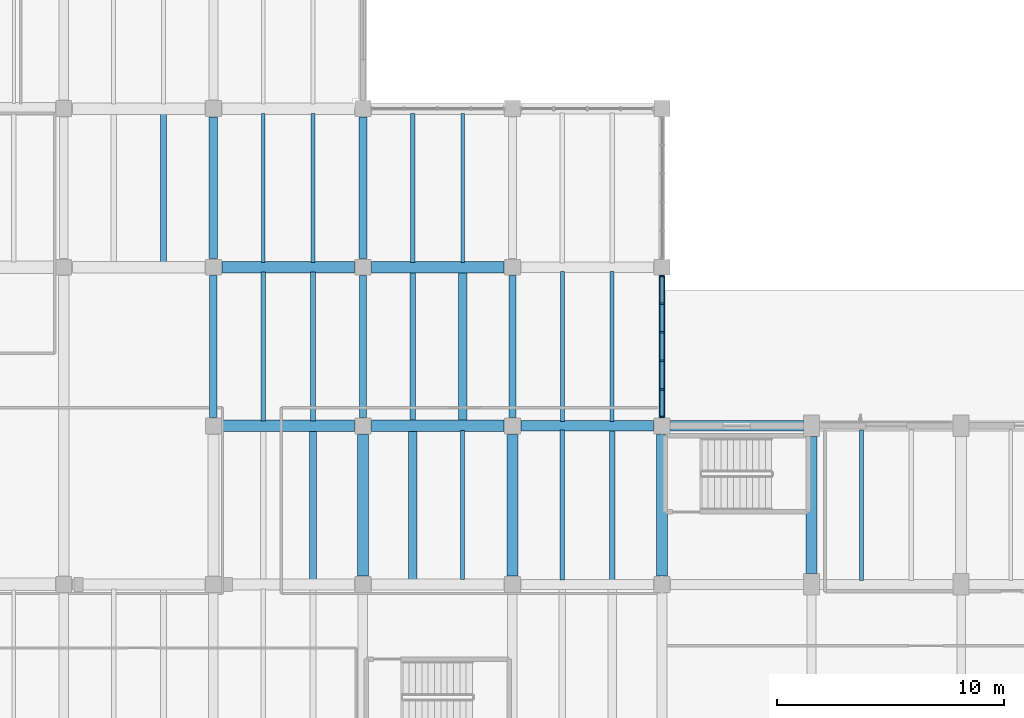
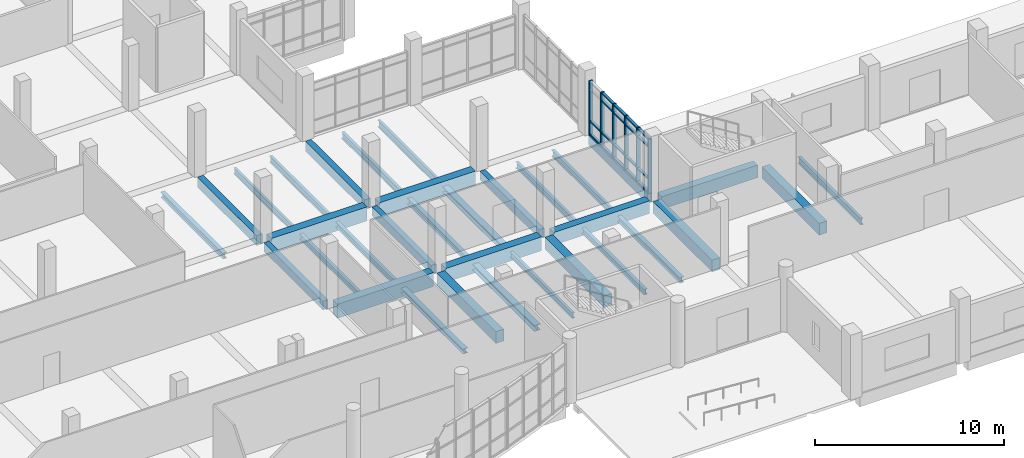
# One storey, part 14 of 69: 33 beams, 24 members, 1 element without a shape of its own.
"""IFC4 building model written with IfcOpenShell, lengths in metres."""

from ifc_helpers import new_model, si_unit, direction, frame, origin, origin_2d, place, context, subcontext, project, spatial, rectangle, i_section, extrude, material, material_profile, profile_set, type_object, element, aggregate, save


model = new_model("IFC4")

# Units and contexts
model_context = context("Model", 3, precision=1e-05, world=origin(), true_north=direction((0.0, 1.0)))
body_context = subcontext(model_context, "Body", "Model", "MODEL_VIEW")
ifc_project = project(units=[si_unit("LENGTHUNIT", "METRE"), si_unit("AREAUNIT", "SQUARE_METRE"), si_unit("VOLUMEUNIT", "CUBIC_METRE"), si_unit("PLANEANGLEUNIT", "RADIAN"), si_unit("MASSUNIT", "GRAM", prefix="KILO")], contexts=[model_context])

# Site, building, storey
site_placement = place(None, origin())
site = spatial("IfcSite", under=ifc_project, at=site_placement, CompositionType="ELEMENT")
building_placement = place(site_placement, origin())
building = spatial("IfcBuilding", under=site, at=building_placement, Name="Ciguamira Faculty of Natural Sciences", CompositionType="ELEMENT")
storey_placement = place(building_placement, origin())
storey = spatial("IfcBuildingStorey", under=building, at=storey_placement, Name="L00", CompositionType="ELEMENT", Elevation=0.0)

# Curtain wall, members
ifc_material_1 = material(Name="Anodized aluminium curtain wall", Category="aluminium")
curtain_wall_type = type_object("IfcCurtainWallType", Name="CurtainWall_CW-12", PredefinedType="USERDEFINED", material=ifc_material_1)
curtain_wall_placement = place(storey_placement, origin())
curtain_wall = element("IfcCurtainWall", 1, at=curtain_wall_placement, inside=storey, type_object=curtain_wall_type, Name="L00 unitised curtain wall 0024", ObjectType="UNITISED CURTAIN WALL", PredefinedType="USERDEFINED")
ifc_material_2 = material(Name="Anodized aluminium mullion", Category="aluminium")
ifc_material_profile_1 = material_profile(ifc_material_2, rectangle(XDim=0.080078125, YDim=0.219970703125, at=origin_2d()), Name="ALU-MUL-80X220")
ifc_profile_set_1 = profile_set([ifc_material_profile_1], Name="Anodized aluminium mullion")
member_type_1 = type_object("IfcMemberType", Name="CWMullion_CWM-03", PredefinedType="MULLION", material=ifc_profile_set_1)
member_1_placement = place(storey_placement, frame((123.300048828125, 24.389892578125, 0.0), z_axis=(0.0, 0.0, 1.0), x_axis=(0.0, 1.0, 0.0)))
member_1 = element("IfcMember", 2, at=member_1_placement, type_object=member_type_1, Name="CW-12 mullion 1", PredefinedType="MULLION", context=body_context, shape_type="SweptSolid", body=[
    extrude(rectangle(XDim=0.080078125, YDim=0.219970703125, at=origin_2d()), origin(), (0.0, 0.0, 1.0), 3.5048828125),
])
member_2_placement = place(storey_placement, frame((123.300048828125, 25.610107421875, 0.0), z_axis=(0.0, 0.0, 1.0), x_axis=(0.0, 1.0, 0.0)))
member_2 = element("IfcMember", 3, at=member_2_placement, type_object=member_type_1, Name="CW-12 mullion 2", PredefinedType="MULLION", context=body_context, shape_type="SweptSolid", body=[
    extrude(rectangle(XDim=0.080078125, YDim=0.219970703125, at=origin_2d()), origin(), (0.0, 0.0, 1.0), 3.5048828125),
])
member_3_placement = place(storey_placement, frame((123.300048828125, 26.8701171875, 0.0), z_axis=(0.0, 0.0, 1.0), x_axis=(0.0, 1.0, 0.0)))
member_3 = element("IfcMember", 4, at=member_3_placement, type_object=member_type_1, Name="CW-12 mullion 3", PredefinedType="MULLION", context=body_context, shape_type="SweptSolid", body=[
    extrude(rectangle(XDim=0.080078125, YDim=0.219970703125, at=origin_2d()), origin(), (0.0, 0.0, 1.0), 3.5048828125),
])
member_4_placement = place(storey_placement, frame((123.300048828125, 28.1298828125, 0.0), z_axis=(0.0, 0.0, 1.0), x_axis=(0.0, 1.0, 0.0)))
member_4 = element("IfcMember", 5, at=member_4_placement, type_object=member_type_1, Name="CW-12 mullion 4", PredefinedType="MULLION", context=body_context, shape_type="SweptSolid", body=[
    extrude(rectangle(XDim=0.080078125, YDim=0.219970703125, at=origin_2d()), origin(), (0.0, 0.0, 1.0), 3.5048828125),
])
member_5_placement = place(storey_placement, frame((123.300048828125, 29.389892578125, 0.0), z_axis=(0.0, 0.0, 1.0), x_axis=(0.0, 1.0, 0.0)))
member_5 = element("IfcMember", 6, at=member_5_placement, type_object=member_type_1, Name="CW-12 mullion 5", PredefinedType="MULLION", context=body_context, shape_type="SweptSolid", body=[
    extrude(rectangle(XDim=0.080078125, YDim=0.219970703125, at=origin_2d()), origin(), (0.0, 0.0, 1.0), 3.5048828125),
])
member_6_placement = place(storey_placement, frame((123.300048828125, 30.610107421875, 0.0), z_axis=(0.0, 0.0, 1.0), x_axis=(0.0, 1.0, 0.0)))
member_6 = element("IfcMember", 7, at=member_6_placement, type_object=member_type_1, Name="CW-12 mullion 6", PredefinedType="MULLION", context=body_context, shape_type="SweptSolid", body=[
    extrude(rectangle(XDim=0.080078125, YDim=0.219970703125, at=origin_2d()), origin(), (0.0, 0.0, 1.0), 3.5048828125),
])
ifc_material_3 = material(Name="Anodized aluminium transom", Category="aluminium")
ifc_material_profile_2 = material_profile(ifc_material_3, rectangle(XDim=0.080078125, YDim=0.159912109375, at=origin_2d()), Name="ALU-TRN-80X160")
ifc_profile_set_2 = profile_set([ifc_material_profile_2], Name="Anodized aluminium transom")
member_type_2 = type_object("IfcMemberType", Name="CWTransom_CWT-03", PredefinedType="USERDEFINED", material=ifc_profile_set_2)
member_7_placement = place(storey_placement, frame((123.300048828125, 24.429931640625, 0.0400390625), z_axis=(0.0, 1.0, 0.0), x_axis=(0.0, 0.0, 1.0)))
member_7 = element("IfcMember", 8, at=member_7_placement, type_object=member_type_2, Name="CW-12 transom 1.1", ObjectType="TRANSOM", PredefinedType="USERDEFINED", context=body_context, shape_type="SweptSolid", body=[
    extrude(rectangle(XDim=0.080078125, YDim=0.159912109375, at=origin_2d()), origin(), (0.0, 0.0, 1.0), 1.14013671875),
])
member_8_placement = place(storey_placement, frame((123.300048828125, 24.429931640625, 0.89990234375), z_axis=(0.0, 1.0, 0.0), x_axis=(0.0, 0.0, 1.0)))
member_8 = element("IfcMember", 9, at=member_8_placement, type_object=member_type_2, Name="CW-12 transom 1.2", ObjectType="TRANSOM", PredefinedType="USERDEFINED", context=body_context, shape_type="SweptSolid", body=[
    extrude(rectangle(XDim=0.080078125, YDim=0.159912109375, at=origin_2d()), origin(), (0.0, 0.0, 1.0), 1.14013671875),
])
member_9_placement = place(storey_placement, frame((123.300048828125, 24.429931640625, 2.955078125), z_axis=(0.0, 1.0, 0.0), x_axis=(0.0, 0.0, 1.0)))
member_9 = element("IfcMember", 10, at=member_9_placement, type_object=member_type_2, Name="CW-12 transom 1.3", ObjectType="TRANSOM", PredefinedType="USERDEFINED", context=body_context, shape_type="SweptSolid", body=[
    extrude(rectangle(XDim=0.080078125, YDim=0.159912109375, at=origin_2d()), origin(), (0.0, 0.0, 1.0), 1.14013671875),
])
member_10_placement = place(storey_placement, frame((123.300048828125, 24.429931640625, 3.465087890625), z_axis=(0.0, 1.0, 0.0), x_axis=(0.0, 0.0, 1.0)))
member_10 = element("IfcMember", 11, at=member_10_placement, type_object=member_type_2, Name="CW-12 transom 1.4", ObjectType="TRANSOM", PredefinedType="USERDEFINED", context=body_context, shape_type="SweptSolid", body=[
    extrude(rectangle(XDim=0.080078125, YDim=0.159912109375, at=origin_2d()), origin(), (0.0, 0.0, 1.0), 1.14013671875),
])
member_11_placement = place(storey_placement, frame((123.300048828125, 25.64990234375, 0.0400390625), z_axis=(0.0, 1.0, 0.0), x_axis=(0.0, 0.0, 1.0)))
member_11 = element("IfcMember", 12, at=member_11_placement, type_object=member_type_2, Name="CW-12 transom 2.1", ObjectType="TRANSOM", PredefinedType="USERDEFINED", context=body_context, shape_type="SweptSolid", body=[
    extrude(rectangle(XDim=0.080078125, YDim=0.159912109375, at=origin_2d()), origin(), (0.0, 0.0, 1.0), 1.18017578125),
])
member_12_placement = place(storey_placement, frame((123.300048828125, 25.64990234375, 0.89990234375), z_axis=(0.0, 1.0, 0.0), x_axis=(0.0, 0.0, 1.0)))
member_12 = element("IfcMember", 13, at=member_12_placement, type_object=member_type_2, Name="CW-12 transom 2.2", ObjectType="TRANSOM", PredefinedType="USERDEFINED", context=body_context, shape_type="SweptSolid", body=[
    extrude(rectangle(XDim=0.080078125, YDim=0.159912109375, at=origin_2d()), origin(), (0.0, 0.0, 1.0), 1.18017578125),
])
member_13_placement = place(storey_placement, frame((123.300048828125, 25.64990234375, 2.955078125), z_axis=(0.0, 1.0, 0.0), x_axis=(0.0, 0.0, 1.0)))
member_13 = element("IfcMember", 14, at=member_13_placement, type_object=member_type_2, Name="CW-12 transom 2.3", ObjectType="TRANSOM", PredefinedType="USERDEFINED", context=body_context, shape_type="SweptSolid", body=[
    extrude(rectangle(XDim=0.080078125, YDim=0.159912109375, at=origin_2d()), origin(), (0.0, 0.0, 1.0), 1.18017578125),
])
member_14_placement = place(storey_placement, frame((123.300048828125, 25.64990234375, 3.465087890625), z_axis=(0.0, 1.0, 0.0), x_axis=(0.0, 0.0, 1.0)))
member_14 = element("IfcMember", 15, at=member_14_placement, type_object=member_type_2, Name="CW-12 transom 2.4", ObjectType="TRANSOM", PredefinedType="USERDEFINED", context=body_context, shape_type="SweptSolid", body=[
    extrude(rectangle(XDim=0.080078125, YDim=0.159912109375, at=origin_2d()), origin(), (0.0, 0.0, 1.0), 1.18017578125),
])
member_15_placement = place(storey_placement, frame((123.300048828125, 26.909912109375, 0.0400390625), z_axis=(0.0, 1.0, 0.0), x_axis=(0.0, 0.0, 1.0)))
member_15 = element("IfcMember", 16, at=member_15_placement, type_object=member_type_2, Name="CW-12 transom 3.1", ObjectType="TRANSOM", PredefinedType="USERDEFINED", context=body_context, shape_type="SweptSolid", body=[
    extrude(rectangle(XDim=0.080078125, YDim=0.159912109375, at=origin_2d()), origin(), (0.0, 0.0, 1.0), 1.18017578125),
])
member_16_placement = place(storey_placement, frame((123.300048828125, 26.909912109375, 0.89990234375), z_axis=(0.0, 1.0, 0.0), x_axis=(0.0, 0.0, 1.0)))
member_16 = element("IfcMember", 17, at=member_16_placement, type_object=member_type_2, Name="CW-12 transom 3.2", ObjectType="TRANSOM", PredefinedType="USERDEFINED", context=body_context, shape_type="SweptSolid", body=[
    extrude(rectangle(XDim=0.080078125, YDim=0.159912109375, at=origin_2d()), origin(), (0.0, 0.0, 1.0), 1.18017578125),
])
member_17_placement = place(storey_placement, frame((123.300048828125, 26.909912109375, 2.955078125), z_axis=(0.0, 1.0, 0.0), x_axis=(0.0, 0.0, 1.0)))
member_17 = element("IfcMember", 18, at=member_17_placement, type_object=member_type_2, Name="CW-12 transom 3.3", ObjectType="TRANSOM", PredefinedType="USERDEFINED", context=body_context, shape_type="SweptSolid", body=[
    extrude(rectangle(XDim=0.080078125, YDim=0.159912109375, at=origin_2d()), origin(), (0.0, 0.0, 1.0), 1.18017578125),
])
member_18_placement = place(storey_placement, frame((123.300048828125, 26.909912109375, 3.465087890625), z_axis=(0.0, 1.0, 0.0), x_axis=(0.0, 0.0, 1.0)))
member_18 = element("IfcMember", 19, at=member_18_placement, type_object=member_type_2, Name="CW-12 transom 3.4", ObjectType="TRANSOM", PredefinedType="USERDEFINED", context=body_context, shape_type="SweptSolid", body=[
    extrude(rectangle(XDim=0.080078125, YDim=0.159912109375, at=origin_2d()), origin(), (0.0, 0.0, 1.0), 1.18017578125),
])
member_19_placement = place(storey_placement, frame((123.300048828125, 28.169921875, 0.0400390625), z_axis=(0.0, 1.0, 0.0), x_axis=(0.0, 0.0, 1.0)))
member_19 = element("IfcMember", 20, at=member_19_placement, type_object=member_type_2, Name="CW-12 transom 4.1", ObjectType="TRANSOM", PredefinedType="USERDEFINED", context=body_context, shape_type="SweptSolid", body=[
    extrude(rectangle(XDim=0.080078125, YDim=0.159912109375, at=origin_2d()), origin(), (0.0, 0.0, 1.0), 1.18017578125),
])
member_20_placement = place(storey_placement, frame((123.300048828125, 28.169921875, 0.89990234375), z_axis=(0.0, 1.0, 0.0), x_axis=(0.0, 0.0, 1.0)))
member_20 = element("IfcMember", 21, at=member_20_placement, type_object=member_type_2, Name="CW-12 transom 4.2", ObjectType="TRANSOM", PredefinedType="USERDEFINED", context=body_context, shape_type="SweptSolid", body=[
    extrude(rectangle(XDim=0.080078125, YDim=0.159912109375, at=origin_2d()), origin(), (0.0, 0.0, 1.0), 1.18017578125),
])
member_21_placement = place(storey_placement, frame((123.300048828125, 28.169921875, 2.955078125), z_axis=(0.0, 1.0, 0.0), x_axis=(0.0, 0.0, 1.0)))
member_21 = element("IfcMember", 22, at=member_21_placement, type_object=member_type_2, Name="CW-12 transom 4.3", ObjectType="TRANSOM", PredefinedType="USERDEFINED", context=body_context, shape_type="SweptSolid", body=[
    extrude(rectangle(XDim=0.080078125, YDim=0.159912109375, at=origin_2d()), origin(), (0.0, 0.0, 1.0), 1.18017578125),
])
member_22_placement = place(storey_placement, frame((123.300048828125, 28.169921875, 3.465087890625), z_axis=(0.0, 1.0, 0.0), x_axis=(0.0, 0.0, 1.0)))
member_22 = element("IfcMember", 23, at=member_22_placement, type_object=member_type_2, Name="CW-12 transom 4.4", ObjectType="TRANSOM", PredefinedType="USERDEFINED", context=body_context, shape_type="SweptSolid", body=[
    extrude(rectangle(XDim=0.080078125, YDim=0.159912109375, at=origin_2d()), origin(), (0.0, 0.0, 1.0), 1.18017578125),
])
member_23_placement = place(storey_placement, frame((123.300048828125, 29.429931640625, 0.0400390625), z_axis=(0.0, 1.0, 0.0), x_axis=(0.0, 0.0, 1.0)))
member_23 = element("IfcMember", 24, at=member_23_placement, type_object=member_type_2, Name="CW-12 transom 5.1", ObjectType="TRANSOM", PredefinedType="USERDEFINED", context=body_context, shape_type="SweptSolid", body=[
    extrude(rectangle(XDim=0.080078125, YDim=0.159912109375, at=origin_2d()), origin(), (0.0, 0.0, 1.0), 1.14013671875),
])
member_24_placement = place(storey_placement, frame((123.300048828125, 29.429931640625, 0.89990234375), z_axis=(0.0, 1.0, 0.0), x_axis=(0.0, 0.0, 1.0)))
member_24 = element("IfcMember", 25, at=member_24_placement, type_object=member_type_2, Name="CW-12 transom 5.2", ObjectType="TRANSOM", PredefinedType="USERDEFINED", context=body_context, shape_type="SweptSolid", body=[
    extrude(rectangle(XDim=0.080078125, YDim=0.159912109375, at=origin_2d()), origin(), (0.0, 0.0, 1.0), 1.14013671875),
])
aggregate(curtain_wall, [member_1, member_2, member_3, member_4, member_5, member_6, member_7, member_8, member_9, member_10, member_11, member_12, member_13, member_14, member_15, member_16, member_17, member_18, member_19, member_20, member_21, member_22, member_23, member_24])

# Beams
ifc_material_4 = material(Name="Concrete C40/50", Category="concrete")
ifc_material_profile_3 = material_profile(ifc_material_4, rectangle(XDim=0.5, YDim=0.89990234375, at=origin_2d()), Name="RC-BM-500X900")
ifc_profile_set_3 = profile_set([ifc_material_profile_3], Name="Concrete C40/50")
beam_type_1 = type_object("IfcBeamType", Name="RCBeam_BG-03_RC-BM-500X900", PredefinedType="BEAM", material=ifc_profile_set_3)
beam_1_placement = place(storey_placement, frame((103.875, 24.0, -0.449951171875), z_axis=(1.0, 0.0, 0.0), x_axis=(0.0, 1.0, 0.0)))
element("IfcBeam", 26, at=beam_1_placement, inside=storey, type_object=beam_type_1, Name="L00 RC girder EW-0068", PredefinedType="BEAM", context=body_context, shape_type="SweptSolid", body=[
    extrude(rectangle(XDim=0.5, YDim=0.89990234375, at=origin_2d()), origin(), (0.0, 0.0, 1.0), 5.85009765625),
])
beam_2_placement = place(storey_placement, frame((110.47509765625, 24.0, -0.449951171875), z_axis=(1.0, 0.0, 0.0), x_axis=(0.0, 1.0, 0.0)))
element("IfcBeam", 27, at=beam_2_placement, inside=storey, type_object=beam_type_1, Name="L00 RC girder EW-0069", PredefinedType="BEAM", context=body_context, shape_type="SweptSolid", body=[
    extrude(rectangle(XDim=0.5, YDim=0.89990234375, at=origin_2d()), origin(), (0.0, 0.0, 1.0), 5.849853515625),
])
beam_3_placement = place(storey_placement, frame((103.875, 31.0, -0.449951171875), z_axis=(1.0, 0.0, 0.0), x_axis=(0.0, 1.0, 0.0)))
element("IfcBeam", 28, at=beam_3_placement, inside=storey, type_object=beam_type_1, Name="L00 RC girder EW-0086", PredefinedType="BEAM", context=body_context, shape_type="SweptSolid", body=[
    extrude(rectangle(XDim=0.5, YDim=0.89990234375, at=origin_2d()), origin(), (0.0, 0.0, 1.0), 5.85009765625),
])
beam_4_placement = place(storey_placement, frame((110.47509765625, 31.0, -0.449951171875), z_axis=(1.0, 0.0, 0.0), x_axis=(0.0, 1.0, 0.0)))
element("IfcBeam", 29, at=beam_4_placement, inside=storey, type_object=beam_type_1, Name="L00 RC girder EW-0087", PredefinedType="BEAM", context=body_context, shape_type="SweptSolid", body=[
    extrude(rectangle(XDim=0.5, YDim=0.89990234375, at=origin_2d()), origin(), (0.0, 0.0, 1.0), 5.849853515625),
])
ifc_material_profile_4 = material_profile(ifc_material_4, rectangle(XDim=0.4599609375, YDim=0.820068359375, at=origin_2d()), Name="RC-BM-460X820")
ifc_profile_set_4 = profile_set([ifc_material_profile_4], Name="Concrete C40/50")
beam_type_2 = type_object("IfcBeamType", Name="RCBeam_BG-04_RC-BM-460X820", PredefinedType="BEAM", material=ifc_profile_set_4)
beam_5_placement = place(storey_placement, frame((117.074951171875, 24.0, -0.409912109375), z_axis=(1.0, 0.0, 0.0), x_axis=(0.0, 1.0, 0.0)))
element("IfcBeam", 30, at=beam_5_placement, inside=storey, type_object=beam_type_2, Name="L00 RC girder EW-0070", PredefinedType="BEAM", context=body_context, shape_type="SweptSolid", body=[
    extrude(rectangle(XDim=0.4599609375, YDim=0.820068359375, at=origin_2d()), origin(), (0.0, 0.0, 1.0), 5.85009765625),
])
beam_6_placement = place(storey_placement, frame((123.675048828125, 24.0, -0.409912109375), z_axis=(1.0, 0.0, 0.0), x_axis=(0.0, 1.0, 0.0)))
element("IfcBeam", 31, at=beam_6_placement, inside=storey, type_object=beam_type_2, Name="L00 RC girder EW-0071", PredefinedType="BEAM", context=body_context, shape_type="SweptSolid", body=[
    extrude(rectangle(XDim=0.4599609375, YDim=0.820068359375, at=origin_2d()), origin(), (0.0, 0.0, 1.0), 5.875),
])
ifc_material_profile_5 = material_profile(ifc_material_4, rectangle(XDim=0.360107421875, YDim=0.639892578125, at=origin_2d()), Name="RC-BM-360X640")
ifc_profile_set_5 = profile_set([ifc_material_profile_5], Name="Concrete C40/50")
beam_type_3 = type_object("IfcBeamType", Name="RCBeam_BG-10_RC-BM-360X640", PredefinedType="BEAM", material=ifc_profile_set_5)
for number, where, z_axis, x_axis, name in (
    (32, (103.5, 31.375, -0.320068359375), (0.0, 1.0, 0.0), (-1.0, 0.0, 0.0), "L00 girder NS-0303"),
    (33, (110.10009765625, 31.375, -0.320068359375), (0.0, 1.0, 0.0), (-1.0, 0.0, 0.0), "L00 girder NS-0314"),
):
    element("IfcBeam", number, at=place(storey_placement, frame(where, z_axis=z_axis, x_axis=x_axis)), inside=storey, type_object=beam_type_3, Name=name, PredefinedType="BEAM", context=body_context, shape_type="SweptSolid", body=[
        extrude(rectangle(XDim=0.360107421875, YDim=0.639892578125, at=origin_2d()), origin(), (0.0, 0.0, 1.0), 6.25),
    ])
ifc_material_profile_6 = material_profile(ifc_material_4, rectangle(XDim=0.320068359375, YDim=0.56005859375, at=origin_2d()), Name="RC-BM-320X560")
ifc_profile_set_6 = profile_set([ifc_material_profile_6], Name="Concrete C40/50")
beam_type_4 = type_object("IfcBeamType", Name="RCBeam_BG-12_RC-BM-320X560", PredefinedType="BEAM", material=ifc_profile_set_6)
for number, where, z_axis, x_axis, name in (
    (34, (103.5, 24.375, -0.280029296875), (0.0, 1.0, 0.0), (-1.0, 0.0, 0.0), "L00 girder NS-0302"),
    (35, (110.10009765625, 24.375, -0.280029296875), (0.0, 1.0, 0.0), (-1.0, 0.0, 0.0), "L00 girder NS-0313"),
    (36, (116.699951171875, 24.375, -0.280029296875), (0.0, 1.0, 0.0), (-1.0, 0.0, 0.0), "L00 girder NS-0327"),
):
    element("IfcBeam", number, at=place(storey_placement, frame(where, z_axis=z_axis, x_axis=x_axis)), inside=storey, type_object=beam_type_4, Name=name, PredefinedType="BEAM", context=body_context, shape_type="SweptSolid", body=[
        extrude(rectangle(XDim=0.320068359375, YDim=0.56005859375, at=origin_2d()), origin(), (0.0, 0.0, 1.0), 6.25),
    ])
ifc_material_5 = material(Name="Precast concrete C40/50", Category="concrete")
ifc_material_profile_7 = material_profile(ifc_material_5, rectangle(XDim=0.280029296875, YDim=0.6201171875, at=origin_2d()), Name="RC-SP-280X620")
ifc_profile_set_7 = profile_set([ifc_material_profile_7], Name="Precast concrete C40/50")
beam_type_5 = type_object("IfcBeamType", Name="RCBeam_SP-01_RC-SP-280X620", PredefinedType="SPANDREL", material=ifc_profile_set_7)
beam_7_placement = place(storey_placement, frame((123.300048828125, 24.375, -0.31005859375), z_axis=(0.0, 1.0, 0.0), x_axis=(-1.0, 0.0, 0.0)))
element("IfcBeam", 37, at=beam_7_placement, inside=storey, type_object=beam_type_5, Name="L00 girder NS-0341", PredefinedType="SPANDREL", context=body_context, shape_type="SweptSolid", body=[
    extrude(rectangle(XDim=0.280029296875, YDim=0.6201171875, at=origin_2d()), origin(), (0.0, 0.0, 1.0), 6.25),
])
ifc_material_profile_8 = material_profile(ifc_material_4, rectangle(XDim=0.47998046875, YDim=0.760009765625, at=origin_2d()), Name="RC-TB-480X760")
ifc_profile_set_8 = profile_set([ifc_material_profile_8], Name="Concrete C40/50")
beam_type_6 = type_object("IfcBeamType", Name="RCBeam_TB-01_RC-TB-480X760", PredefinedType="T_BEAM", material=ifc_profile_set_8)
for number, where, z_axis, x_axis, name in (
    (38, (110.10009765625, 17.375, -0.3798828125), (0.0, 1.0, 0.0), (-1.0, 0.0, 0.0), "L00 girder NS-0312"),
    (39, (116.699951171875, 17.375, -0.3798828125), (0.0, 1.0, 0.0), (-1.0, 0.0, 0.0), "L00 girder NS-0326"),
    (40, (123.300048828125, 17.375, -0.3798828125), (0.0, 1.0, 0.0), (-1.0, 0.0, 0.0), "L00 girder NS-0340"),
):
    element("IfcBeam", number, at=place(storey_placement, frame(where, z_axis=z_axis, x_axis=x_axis)), inside=storey, type_object=beam_type_6, Name=name, PredefinedType="T_BEAM", context=body_context, shape_type="SweptSolid", body=[
        extrude(rectangle(XDim=0.47998046875, YDim=0.760009765625, at=origin_2d()), origin(), (0.0, 0.0, 1.0), 6.25),
    ])
beam_8_placement = place(storey_placement, frame((129.89990234375, 17.47509765625, -0.3798828125), z_axis=(0.0, 1.0, 0.0), x_axis=(-1.0, 0.0, 0.0)))
element("IfcBeam", 41, at=beam_8_placement, inside=storey, type_object=beam_type_6, Name="L00 girder NS-0344", PredefinedType="T_BEAM", context=body_context, shape_type="SweptSolid", body=[
    extrude(rectangle(XDim=0.47998046875, YDim=0.760009765625, at=origin_2d()), origin(), (0.0, 0.0, 1.0), 6.0498046875),
])
ifc_material_6 = material(Name="Steel ASTM A992 Grade 50", Category="steel")
ifc_material_profile_9 = material_profile(ifc_material_6, i_section(OverallWidth=0.3046875, OverallDepth=0.307373046875, WebThickness=0.010009765625, FlangeThickness=0.015380859375, at=origin_2d()), Name="W12X65")
ifc_profile_set_9 = profile_set([ifc_material_profile_9], Name="Steel ASTM A992 Grade 50")
beam_type_7 = type_object("IfcBeamType", Name="SteelJoist_SJ-08_W12X65", PredefinedType="JOIST", material=ifc_profile_set_9)
beam_9_placement = place(storey_placement, frame((107.89990234375, 17.2099609375, -0.45361328125), z_axis=(0.0, 1.0, 0.0), x_axis=(-1.0, 0.0, 0.0)))
element("IfcBeam", 42, at=beam_9_placement, inside=storey, type_object=beam_type_7, Name="L00 composite steel joist 00251", PredefinedType="JOIST", context=body_context, shape_type="SweptSolid", body=[
    extrude(i_section(OverallWidth=0.3046875, OverallDepth=0.307373046875, WebThickness=0.010009765625, FlangeThickness=0.015380859375, at=origin_2d()), origin(), (0.0, 0.0, 1.0), 6.580078125),
])
ifc_material_profile_10 = material_profile(ifc_material_6, i_section(OverallWidth=0.373291015625, OverallDepth=0.373291015625, WebThickness=0.016357421875, FlangeThickness=0.026123046875, at=origin_2d()), Name="W14X132")
ifc_profile_set_10 = profile_set([ifc_material_profile_10], Name="Steel ASTM A992 Grade 50")
beam_type_8 = type_object("IfcBeamType", Name="SteelJoist_SJ-10_W14X132", PredefinedType="JOIST", material=ifc_profile_set_10)
beam_10_placement = place(storey_placement, frame((112.300048828125, 17.2099609375, -0.48681640625), z_axis=(0.0, 1.0, 0.0), x_axis=(-1.0, 0.0, 0.0)))
element("IfcBeam", 43, at=beam_10_placement, inside=storey, type_object=beam_type_8, Name="L00 composite steel joist 00275", PredefinedType="JOIST", context=body_context, shape_type="SweptSolid", body=[
    extrude(i_section(OverallWidth=0.373291015625, OverallDepth=0.373291015625, WebThickness=0.016357421875, FlangeThickness=0.026123046875, at=origin_2d()), origin(), (0.0, 0.0, 1.0), 6.580078125),
])
ifc_material_profile_11 = material_profile(ifc_material_6, i_section(OverallWidth=0.1708984375, OverallDepth=0.3505859375, WebThickness=0.0068359375, FlangeThickness=0.009765625, at=origin_2d()), Name="W14X30")
ifc_profile_set_11 = profile_set([ifc_material_profile_11], Name="Steel ASTM A992 Grade 50")
beam_type_9 = type_object("IfcBeamType", Name="SteelJoist_SJ-11_W14X30", PredefinedType="JOIST", material=ifc_profile_set_11)
beam_11_placement = place(storey_placement, frame((114.5, 17.2099609375, -0.475341796875), z_axis=(0.0, 1.0, 0.0), x_axis=(-1.0, 0.0, 0.0)))
element("IfcBeam", 44, at=beam_11_placement, inside=storey, type_object=beam_type_9, Name="L00 composite steel joist 00276", PredefinedType="JOIST", context=body_context, shape_type="SweptSolid", body=[
    extrude(i_section(OverallWidth=0.1708984375, OverallDepth=0.3505859375, WebThickness=0.0068359375, FlangeThickness=0.009765625, at=origin_2d()), origin(), (0.0, 0.0, 1.0), 6.580078125),
])
ifc_material_profile_12 = material_profile(ifc_material_6, i_section(OverallWidth=0.203125, OverallDepth=0.347900390625, WebThickness=0.0078125, FlangeThickness=0.013427734375, at=origin_2d()), Name="W14X43")
ifc_profile_set_12 = profile_set([ifc_material_profile_12], Name="Steel ASTM A992 Grade 50")
beam_type_10 = type_object("IfcBeamType", Name="SteelJoist_SJ-12_W14X43", PredefinedType="JOIST", material=ifc_profile_set_12)
beam_12_placement = place(storey_placement, frame((105.699951171875, 24.2099609375, -0.47412109375), z_axis=(0.0, 1.0, 0.0), x_axis=(-1.0, 0.0, 0.0)))
element("IfcBeam", 45, at=beam_12_placement, inside=storey, type_object=beam_type_10, Name="L00 composite steel joist 00252", PredefinedType="JOIST", context=body_context, shape_type="SweptSolid", body=[
    extrude(i_section(OverallWidth=0.203125, OverallDepth=0.347900390625, WebThickness=0.0078125, FlangeThickness=0.013427734375, at=origin_2d()), origin(), (0.0, 0.0, 1.0), 6.580078125),
])
ifc_material_profile_13 = material_profile(ifc_material_6, i_section(OverallWidth=0.204833984375, OverallDepth=0.35302734375, WebThickness=0.00927734375, FlangeThickness=0.016845703125, at=origin_2d()), Name="W14X53")
ifc_profile_set_13 = profile_set([ifc_material_profile_13], Name="Steel ASTM A992 Grade 50")
beam_type_11 = type_object("IfcBeamType", Name="SteelJoist_SJ-13_W14X53", PredefinedType="JOIST", material=ifc_profile_set_13)
beam_13_placement = place(storey_placement, frame((107.89990234375, 24.2099609375, -0.4765625), z_axis=(0.0, 1.0, 0.0), x_axis=(-1.0, 0.0, 0.0)))
element("IfcBeam", 46, at=beam_13_placement, inside=storey, type_object=beam_type_11, Name="L00 composite steel joist 00253", PredefinedType="JOIST", context=body_context, shape_type="SweptSolid", body=[
    extrude(i_section(OverallWidth=0.204833984375, OverallDepth=0.35302734375, WebThickness=0.00927734375, FlangeThickness=0.016845703125, at=origin_2d()), origin(), (0.0, 0.0, 1.0), 6.580078125),
])
beam_14_placement = place(storey_placement, frame((118.89990234375, 17.18994140625, -0.4765625), z_axis=(0.0, 1.0, 0.0), x_axis=(-1.0, 0.0, 0.0)))
element("IfcBeam", 47, at=beam_14_placement, inside=storey, type_object=beam_type_11, Name="L00 composite steel joist 00307", PredefinedType="JOIST", context=body_context, shape_type="SweptSolid", body=[
    extrude(i_section(OverallWidth=0.204833984375, OverallDepth=0.35302734375, WebThickness=0.00927734375, FlangeThickness=0.016845703125, at=origin_2d()), origin(), (0.0, 0.0, 1.0), 6.6201171875),
])
ifc_material_profile_14 = material_profile(ifc_material_6, i_section(OverallWidth=0.25390625, OverallDepth=0.355712890625, WebThickness=0.010498046875, FlangeThickness=0.018310546875, at=origin_2d()), Name="W14X68")
ifc_profile_set_14 = profile_set([ifc_material_profile_14], Name="Steel ASTM A992 Grade 50")
beam_type_12 = type_object("IfcBeamType", Name="SteelJoist_SJ-14_W14X68", PredefinedType="JOIST", material=ifc_profile_set_14)
beam_15_placement = place(storey_placement, frame((121.10009765625, 17.18994140625, -0.477783203125), z_axis=(0.0, 1.0, 0.0), x_axis=(-1.0, 0.0, 0.0)))
element("IfcBeam", 48, at=beam_15_placement, inside=storey, type_object=beam_type_12, Name="L00 composite steel joist 00308", PredefinedType="JOIST", context=body_context, shape_type="SweptSolid", body=[
    extrude(i_section(OverallWidth=0.25390625, OverallDepth=0.355712890625, WebThickness=0.010498046875, FlangeThickness=0.018310546875, at=origin_2d()), origin(), (0.0, 0.0, 1.0), 6.6201171875),
])
ifc_material_profile_15 = material_profile(ifc_material_6, i_section(OverallWidth=0.256591796875, OverallDepth=0.36328125, WebThickness=0.012939453125, FlangeThickness=0.021728515625, at=origin_2d()), Name="W14X82")
ifc_profile_set_15 = profile_set([ifc_material_profile_15], Name="Steel ASTM A992 Grade 50")
beam_type_13 = type_object("IfcBeamType", Name="SteelJoist_SJ-15_W14X82", PredefinedType="JOIST", material=ifc_profile_set_15)
for number, where, z_axis, x_axis, name in (
    (49, (101.300048828125, 31.2099609375, -0.481689453125), (0.0, 1.0, 0.0), (-1.0, 0.0, 0.0), "L00 composite steel joist 00226"),
    (50, (112.300048828125, 24.2099609375, -0.481689453125), (0.0, 1.0, 0.0), (-1.0, 0.0, 0.0), "L00 composite steel joist 00277"),
):
    element("IfcBeam", number, at=place(storey_placement, frame(where, z_axis=z_axis, x_axis=x_axis)), inside=storey, type_object=beam_type_13, Name=name, PredefinedType="JOIST", context=body_context, shape_type="SweptSolid", body=[
        extrude(i_section(OverallWidth=0.256591796875, OverallDepth=0.36328125, WebThickness=0.012939453125, FlangeThickness=0.021728515625, at=origin_2d()), origin(), (0.0, 0.0, 1.0), 6.580078125),
    ])
ifc_material_profile_16 = material_profile(ifc_material_6, i_section(OverallWidth=0.368408203125, OverallDepth=0.355712890625, WebThickness=0.01123046875, FlangeThickness=0.01806640625, at=origin_2d()), Name="W14X90")
ifc_profile_set_16 = profile_set([ifc_material_profile_16], Name="Steel ASTM A992 Grade 50")
beam_type_14 = type_object("IfcBeamType", Name="SteelJoist_SJ-16_W14X90", PredefinedType="JOIST", material=ifc_profile_set_16)
beam_16_placement = place(storey_placement, frame((114.5, 24.2099609375, -0.477783203125), z_axis=(0.0, 1.0, 0.0), x_axis=(-1.0, 0.0, 0.0)))
element("IfcBeam", 51, at=beam_16_placement, inside=storey, type_object=beam_type_14, Name="L00 composite steel joist 00278", PredefinedType="JOIST", context=body_context, shape_type="SweptSolid", body=[
    extrude(i_section(OverallWidth=0.368408203125, OverallDepth=0.355712890625, WebThickness=0.01123046875, FlangeThickness=0.01806640625, at=origin_2d()), origin(), (0.0, 0.0, 1.0), 6.580078125),
])
ifc_material_profile_17 = material_profile(ifc_material_6, i_section(OverallWidth=0.140380859375, OverallDepth=0.40380859375, WebThickness=0.007080078125, FlangeThickness=0.01123046875, at=origin_2d()), Name="W16X31")
ifc_profile_set_17 = profile_set([ifc_material_profile_17], Name="Steel ASTM A992 Grade 50")
beam_type_15 = type_object("IfcBeamType", Name="SteelJoist_SJ-17_W16X31", PredefinedType="JOIST", material=ifc_profile_set_17)
beam_17_placement = place(storey_placement, frame((105.699951171875, 31.2099609375, -0.501953125), z_axis=(0.0, 1.0, 0.0), x_axis=(-1.0, 0.0, 0.0)))
element("IfcBeam", 52, at=beam_17_placement, inside=storey, type_object=beam_type_15, Name="L00 composite steel joist 00254", PredefinedType="JOIST", context=body_context, shape_type="SweptSolid", body=[
    extrude(i_section(OverallWidth=0.140380859375, OverallDepth=0.40380859375, WebThickness=0.007080078125, FlangeThickness=0.01123046875, at=origin_2d()), origin(), (0.0, 0.0, 1.0), 6.580078125),
])
ifc_material_profile_18 = material_profile(ifc_material_6, i_section(OverallWidth=0.177490234375, OverallDepth=0.40380859375, WebThickness=0.007568359375, FlangeThickness=0.010986328125, at=origin_2d()), Name="W16X36")
ifc_profile_set_18 = profile_set([ifc_material_profile_18], Name="Steel ASTM A992 Grade 50")
beam_type_16 = type_object("IfcBeamType", Name="SteelJoist_SJ-18_W16X36", PredefinedType="JOIST", material=ifc_profile_set_18)
beam_18_placement = place(storey_placement, frame((107.89990234375, 31.2099609375, -0.501953125), z_axis=(0.0, 1.0, 0.0), x_axis=(-1.0, 0.0, 0.0)))
element("IfcBeam", 53, at=beam_18_placement, inside=storey, type_object=beam_type_16, Name="L00 composite steel joist 00255", PredefinedType="JOIST", context=body_context, shape_type="SweptSolid", body=[
    extrude(i_section(OverallWidth=0.177490234375, OverallDepth=0.40380859375, WebThickness=0.007568359375, FlangeThickness=0.010986328125, at=origin_2d()), origin(), (0.0, 0.0, 1.0), 6.580078125),
])
beam_19_placement = place(storey_placement, frame((118.89990234375, 24.18994140625, -0.501953125), z_axis=(0.0, 1.0, 0.0), x_axis=(-1.0, 0.0, 0.0)))
element("IfcBeam", 54, at=beam_19_placement, inside=storey, type_object=beam_type_16, Name="L00 composite steel joist 00309", PredefinedType="JOIST", context=body_context, shape_type="SweptSolid", body=[
    extrude(i_section(OverallWidth=0.177490234375, OverallDepth=0.40380859375, WebThickness=0.007568359375, FlangeThickness=0.010986328125, at=origin_2d()), origin(), (0.0, 0.0, 1.0), 6.6201171875),
])
ifc_material_profile_19 = material_profile(ifc_material_6, i_section(OverallWidth=0.1787109375, OverallDepth=0.408935546875, WebThickness=0.0087890625, FlangeThickness=0.014404296875, at=origin_2d()), Name="W16X45")
ifc_profile_set_19 = profile_set([ifc_material_profile_19], Name="Steel ASTM A992 Grade 50")
beam_type_17 = type_object("IfcBeamType", Name="SteelJoist_SJ-19_W16X45", PredefinedType="JOIST", material=ifc_profile_set_19)
beam_20_placement = place(storey_placement, frame((121.10009765625, 24.18994140625, -0.50439453125), z_axis=(0.0, 1.0, 0.0), x_axis=(-1.0, 0.0, 0.0)))
element("IfcBeam", 55, at=beam_20_placement, inside=storey, type_object=beam_type_17, Name="L00 composite steel joist 00310", PredefinedType="JOIST", context=body_context, shape_type="SweptSolid", body=[
    extrude(i_section(OverallWidth=0.1787109375, OverallDepth=0.408935546875, WebThickness=0.0087890625, FlangeThickness=0.014404296875, at=origin_2d()), origin(), (0.0, 0.0, 1.0), 6.6201171875),
])
beam_21_placement = place(storey_placement, frame((132.10009765625, 17.18505859375, -0.554443359375), z_axis=(0.0, 1.0, 0.0), x_axis=(-1.0, 0.0, 0.0)))
element("IfcBeam", 56, at=beam_21_placement, inside=storey, type_object=beam_type_17, Name="L00 composite steel joist 00313", PredefinedType="JOIST", context=body_context, shape_type="SweptSolid", body=[
    extrude(i_section(OverallWidth=0.1787109375, OverallDepth=0.408935546875, WebThickness=0.0087890625, FlangeThickness=0.014404296875, at=origin_2d()), origin(), (0.0, 0.0, 1.0), 6.6298828125),
])
ifc_material_profile_20 = material_profile(ifc_material_6, i_section(OverallWidth=0.180908203125, OverallDepth=0.41650390625, WebThickness=0.010986328125, FlangeThickness=0.01806640625, at=origin_2d()), Name="W16X57")
ifc_profile_set_20 = profile_set([ifc_material_profile_20], Name="Steel ASTM A992 Grade 50")
beam_type_18 = type_object("IfcBeamType", Name="SteelJoist_SJ-20_W16X57", PredefinedType="JOIST", material=ifc_profile_set_20)
beam_22_placement = place(storey_placement, frame((112.300048828125, 31.2099609375, -0.50830078125), z_axis=(0.0, 1.0, 0.0), x_axis=(-1.0, 0.0, 0.0)))
element("IfcBeam", 57, at=beam_22_placement, inside=storey, type_object=beam_type_18, Name="L00 composite steel joist 00279", PredefinedType="JOIST", context=body_context, shape_type="SweptSolid", body=[
    extrude(i_section(OverallWidth=0.180908203125, OverallDepth=0.41650390625, WebThickness=0.010986328125, FlangeThickness=0.01806640625, at=origin_2d()), origin(), (0.0, 0.0, 1.0), 6.580078125),
])
ifc_material_profile_21 = material_profile(ifc_material_6, i_section(OverallWidth=0.15234375, OverallDepth=0.449462890625, WebThickness=0.007568359375, FlangeThickness=0.0107421875, at=origin_2d()), Name="W18X35")
ifc_profile_set_21 = profile_set([ifc_material_profile_21], Name="Steel ASTM A992 Grade 50")
beam_type_19 = type_object("IfcBeamType", Name="SteelJoist_SJ-21_W18X35", PredefinedType="JOIST", material=ifc_profile_set_21)
beam_23_placement = place(storey_placement, frame((114.5, 31.2099609375, -0.52490234375), z_axis=(0.0, 1.0, 0.0), x_axis=(-1.0, 0.0, 0.0)))
element("IfcBeam", 58, at=beam_23_placement, inside=storey, type_object=beam_type_19, Name="L00 composite steel joist 00280", PredefinedType="JOIST", context=body_context, shape_type="SweptSolid", body=[
    extrude(i_section(OverallWidth=0.15234375, OverallDepth=0.449462890625, WebThickness=0.007568359375, FlangeThickness=0.0107421875, at=origin_2d()), origin(), (0.0, 0.0, 1.0), 6.580078125),
])

save(model, "model.ifc")
